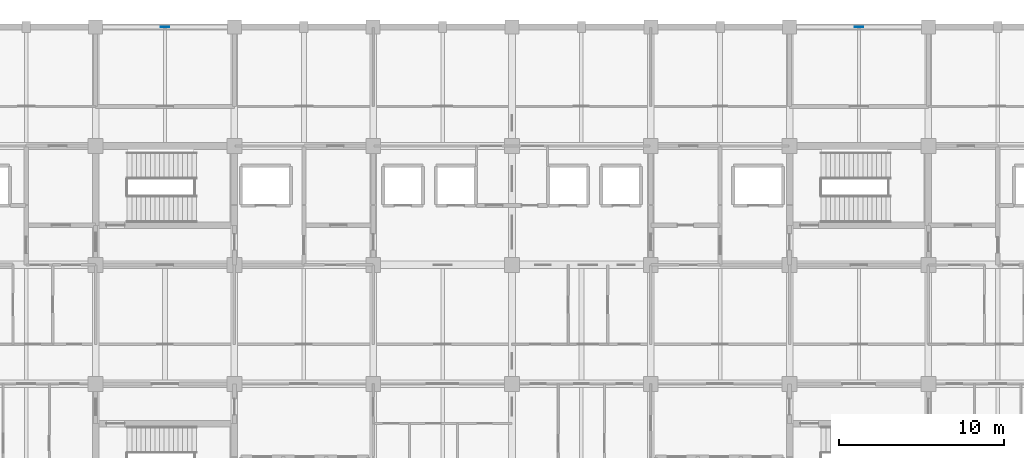
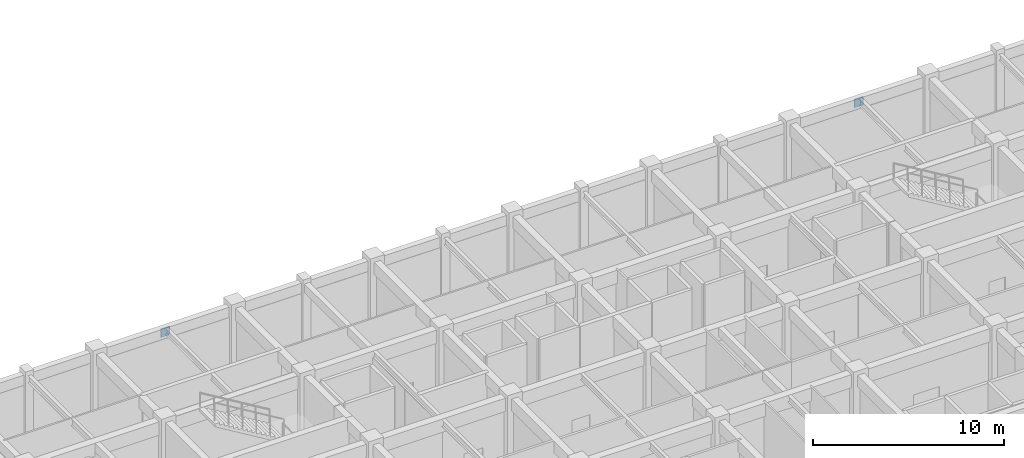
# One storey, part 30 of 58: 2 plates.
"""IFC4 building model written with IfcOpenShell, lengths in metres."""

from ifc_helpers import new_model, si_unit, direction, frame, origin, origin_2d, place, context, subcontext, project, spatial, rectangle, extrude, material, layer, layer_set, type_object, element, save


model = new_model("IFC4")

# Units and contexts
model_context = context("Model", 3, precision=1e-05, world=origin(), true_north=direction((0.0, 1.0)))
body_context = subcontext(model_context, "Body", "Model", "MODEL_VIEW")
ifc_project = project(units=[si_unit("LENGTHUNIT", "METRE"), si_unit("AREAUNIT", "SQUARE_METRE"), si_unit("VOLUMEUNIT", "CUBIC_METRE"), si_unit("PLANEANGLEUNIT", "RADIAN"), si_unit("MASSUNIT", "GRAM", prefix="KILO")], contexts=[model_context])

# Site, building, storey
site_placement = place(None, origin())
site = spatial("IfcSite", under=ifc_project, at=site_placement, CompositionType="ELEMENT")
building_placement = place(site_placement, origin())
building = spatial("IfcBuilding", under=site, at=building_placement, Name="Chengyuan Square Courthouse", CompositionType="ELEMENT")
storey_placement = place(building_placement, frame((0.0, 0.0, 16.199951171875)))
storey = spatial("IfcBuildingStorey", under=building, at=storey_placement, Name="L04", CompositionType="ELEMENT", Elevation=16.199951171875)

# Plates
ifc_material = material(Name="Steel Q355B", Category="steel")
ifc_layer = layer(ifc_material, 0.0400390625)
ifc_layer_set = layer_set([ifc_layer], Name="Steel Q355B")
plate_type = type_object("IfcPlateType", Name="GP-03", PredefinedType="SHEET", material=ifc_layer_set)
for number, where, z_axis, x_axis, name in (
    (1, (63.0, 115.199951171875, 4.5), (0.0, 0.0, 1.0), (1.0, 0.0, 0.0), "Brace Gusset Plate GP-L04-07"),
    (2, (105.0, 115.199951171875, 4.5), (0.0, 0.0, 1.0), (1.0, 0.0, 0.0), "Brace Gusset Plate GP-L04-12"),
):
    element("IfcPlate", number, at=place(storey_placement, frame(where, z_axis=z_axis, x_axis=x_axis)), inside=storey, type_object=plate_type, Name=name, PredefinedType="SHEET", context=body_context, shape_type="SweptSolid", body=[
        extrude(rectangle(XDim=0.5400390625, YDim=0.0400390625, at=origin_2d()), origin(), (0.0, 0.0, 1.0), 0.5400390625),
    ])

save(model, "model.ifc")
